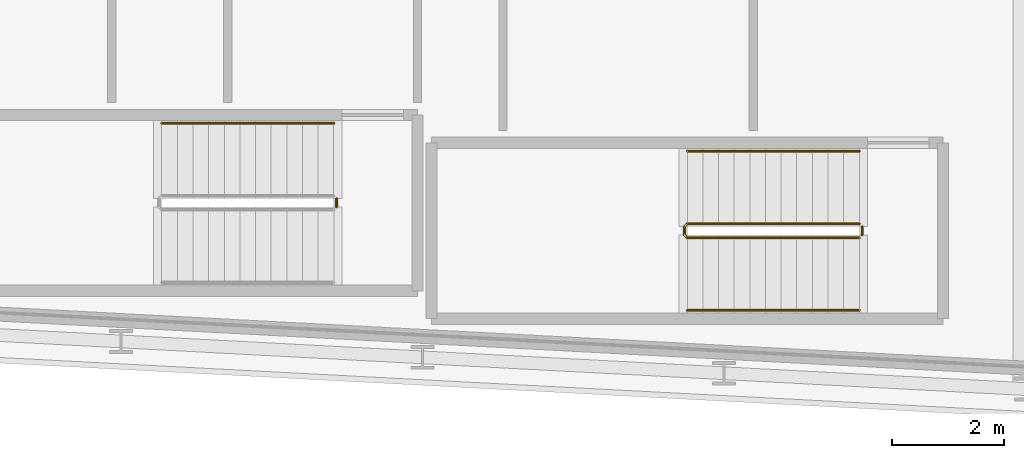
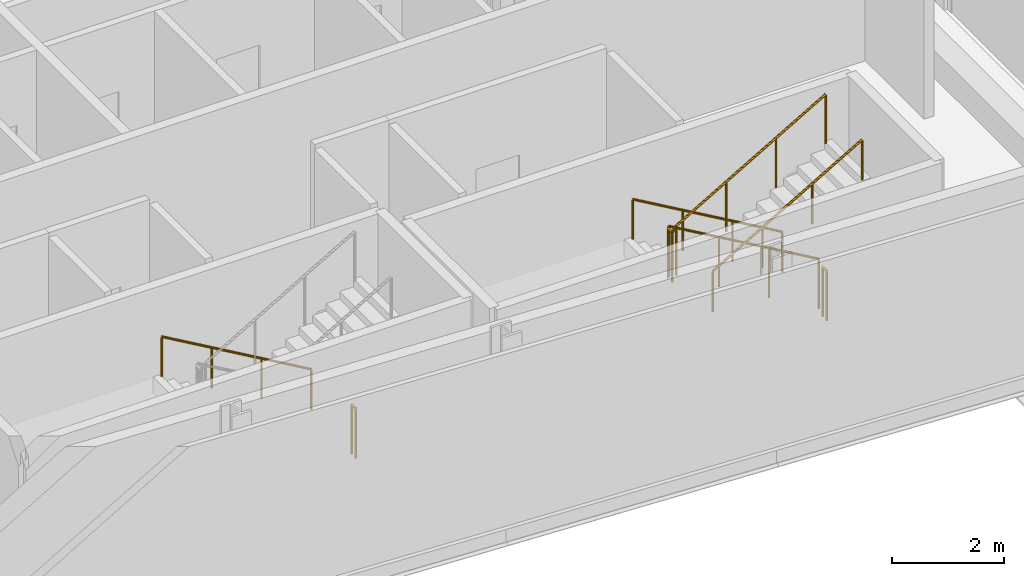
# One storey, part 27 of 30: 6 railings.
"""IFC4 building model written with IfcOpenShell, lengths in metres."""

from ifc_helpers import new_model, si_unit, direction, frame, origin, origin_2d, place, context, subcontext, project, spatial, circle, extrude, material, type_object, element, save


model = new_model("IFC4")

# Units and contexts
model_context = context("Model", 3, precision=1e-05, world=origin(), true_north=direction((0.0, 1.0)))
body_context = subcontext(model_context, "Body", "Model", "MODEL_VIEW")
ifc_project = project(units=[si_unit("LENGTHUNIT", "METRE"), si_unit("AREAUNIT", "SQUARE_METRE"), si_unit("VOLUMEUNIT", "CUBIC_METRE"), si_unit("PLANEANGLEUNIT", "RADIAN"), si_unit("MASSUNIT", "GRAM", prefix="KILO")], contexts=[model_context])

# Site, building, storey
site_placement = place(None, origin())
site = spatial("IfcSite", under=ifc_project, at=site_placement, CompositionType="ELEMENT")
building_placement = place(site_placement, origin())
building = spatial("IfcBuilding", under=site, at=building_placement, Name="Kheshtan School and Residences Tower", CompositionType="ELEMENT")
storey_placement = place(building_placement, frame((0.0, 0.0, 164.300048828125)))
storey = spatial("IfcBuildingStorey", under=building, at=storey_placement, Name="L38", CompositionType="ELEMENT", Elevation=164.300048828125)

# Railings
ifc_material_1 = material(Name="Stainless steel balustrade", Category="steel")
railing_type_1 = type_object("IfcRailingType", Name="Stair guard 1100", PredefinedType="GUARDRAIL", material=ifc_material_1)
railing_1_placement = place(storey_placement, frame((87.820068359375, 23.949951171875, 0.162353515625)))
element("IfcRailing", 1, at=railing_1_placement, inside=storey, type_object=railing_type_1, Name="L38 ST4 stair guard 1", PredefinedType="GUARDRAIL", context=body_context, shape_type="SweptSolid", body=[
    extrude(circle(Radius=0.02392578125, at=origin_2d()), frame((0.0, 0.0, 1.076171875), z_axis=(-0.864890721111, 0.0, 0.501960198159), x_axis=(0.0, -1.0, 0.0)), (0.0, 0.0, 1.0), 3.561279296875),
    extrude(circle(Radius=0.02392578125, at=origin_2d()), frame((-3.080078125, 0.0, 2.86376953125), z_axis=(-0.707106781187, -0.707106781187, 0.0), x_axis=(0.707106781187, -0.707106781187, 0.0)), (0.0, 0.0, 1.0), 0.07080078125),
    extrude(circle(Radius=0.02392578125, at=origin_2d()), frame((-3.130126953125, -0.050048828125, 2.86376953125), z_axis=(0.0, -1.0, 0.0), x_axis=(1.0, 0.0, 0.0)), (0.0, 0.0, 1.0), 0.14990234375),
    extrude(circle(Radius=0.02392578125, at=origin_2d()), frame((-3.130126953125, -0.199951171875, 2.86376953125), z_axis=(0.282227285176, -0.282227285176, 0.916894497205), x_axis=(0.707106781187, 0.707106781187, 0.0)), (0.0, 0.0, 1.0), 0.17724609375),
    extrude(circle(Radius=0.02392578125, at=origin_2d()), frame((-3.080078125, -0.25, 3.0263671875), z_axis=(0.864920483161, 0.0, 0.501908913857), x_axis=(0.0, 1.0, 0.0)), (0.0, 0.0, 1.0), 3.56103515625),
    extrude(circle(Radius=0.02099609375, at=origin_2d()), origin(), (0.0, 0.0, 1.0), 1.052001953125),
    extrude(circle(Radius=0.02099609375, at=origin_2d()), frame((-1.026611328125, 0.0, 0.595947265625)), (0.0, 0.0, 1.0), 1.052001953125),
    extrude(circle(Radius=0.02099609375, at=origin_2d()), frame((-2.053466796875, 0.0, 1.191650390625)), (0.0, 0.0, 1.0), 1.052001953125),
    extrude(circle(Radius=0.02099609375, at=origin_2d()), frame((-3.080078125, 0.0, 1.78759765625)), (0.0, 0.0, 1.0), 1.052001953125),
    extrude(circle(Radius=0.02099609375, at=origin_2d()), frame((-3.130126953125, -0.050048828125, 1.78759765625)), (0.0, 0.0, 1.0), 1.052001953125),
    extrude(circle(Radius=0.02099609375, at=origin_2d()), frame((-3.130126953125, -0.199951171875, 1.78759765625)), (0.0, 0.0, 1.0), 1.052001953125),
    extrude(circle(Radius=0.02099609375, at=origin_2d()), frame((-3.080078125, -0.25, 1.9501953125)), (0.0, 0.0, 1.0), 1.052001953125),
    extrude(circle(Radius=0.02099609375, at=origin_2d()), frame((-2.053466796875, -0.25, 2.5458984375)), (0.0, 0.0, 1.0), 1.052001953125),
    extrude(circle(Radius=0.02099609375, at=origin_2d()), frame((-1.026611328125, -0.25, 3.141845703125)), (0.0, 0.0, 1.0), 1.052001953125),
    extrude(circle(Radius=0.02099609375, at=origin_2d()), frame((0.0, -0.25, 3.737548828125)), (0.0, 0.0, 1.0), 1.052001953125),
])
for number, where, name in (
    (2, (87.8701171875, 23.89990234375, 0.0), "L38 ST4 stair guard 2"),
    (3, (78.4599609375, 24.39990234375, 0.0), "L38 ST5 stair guard 2"),
):
    element("IfcRailing", number, at=place(storey_placement, frame(where)), inside=storey, type_object=railing_type_1, Name=name, PredefinedType="GUARDRAIL", context=body_context, shape_type="SweptSolid", body=[
        extrude(circle(Radius=0.02392578125, at=origin_2d()), frame((0.0, 0.0, 1.076171875), z_axis=(0.0, -1.0, 0.0), x_axis=(1.0, 0.0, 0.0)), (0.0, 0.0, 1.0), 0.14990234375),
        extrude(circle(Radius=0.02099609375, at=origin_2d()), origin(), (0.0, 0.0, 1.0), 1.052001953125),
        extrude(circle(Radius=0.02099609375, at=origin_2d()), frame((0.0, -0.14990234375, 0.0)), (0.0, 0.0, 1.0), 1.052001953125),
    ])
ifc_material_2 = material(Name="Stainless steel handrail", Category="steel")
railing_type_2 = type_object("IfcRailingType", Name="Stair handrail 900", PredefinedType="HANDRAIL", material=ifc_material_2)
railing_2_placement = place(storey_placement, frame((87.820068359375, 25.25, 0.162353515625)))
element("IfcRailing", 4, at=railing_2_placement, inside=storey, type_object=railing_type_2, Name="L38 ST4 stair handrail 1", PredefinedType="HANDRAIL", context=body_context, shape_type="SweptSolid", body=[
    extrude(circle(Radius=0.02392578125, at=origin_2d()), frame((0.0, 0.0, 0.8759765625), z_axis=(-0.864890721111, 0.0, 0.501960198159), x_axis=(0.0, -1.0, 0.0)), (0.0, 0.0, 1.0), 3.561279296875),
    extrude(circle(Radius=0.02099609375, at=origin_2d()), origin(), (0.0, 0.0, 1.0), 0.851806640625),
    extrude(circle(Radius=0.02099609375, at=origin_2d()), frame((-1.026611328125, 0.0, 0.595947265625)), (0.0, 0.0, 1.0), 0.851806640625),
    extrude(circle(Radius=0.02099609375, at=origin_2d()), frame((-2.053466796875, 0.0, 1.191650390625)), (0.0, 0.0, 1.0), 0.851806640625),
    extrude(circle(Radius=0.02099609375, at=origin_2d()), frame((-3.080078125, 0.0, 1.78759765625)), (0.0, 0.0, 1.0), 0.851806640625),
])
railing_3_placement = place(storey_placement, frame((84.739990234375, 22.39990234375, 2.112548828125)))
element("IfcRailing", 5, at=railing_3_placement, inside=storey, type_object=railing_type_2, Name="L38 ST4 stair handrail 2", PredefinedType="HANDRAIL", context=body_context, shape_type="SweptSolid", body=[
    extrude(circle(Radius=0.02392578125, at=origin_2d()), frame((0.0, 0.0, 0.8759765625), z_axis=(0.864920483161, 0.0, 0.501908913857), x_axis=(0.0, 1.0, 0.0)), (0.0, 0.0, 1.0), 3.56103515625),
    extrude(circle(Radius=0.02099609375, at=origin_2d()), origin(), (0.0, 0.0, 1.0), 0.851806640625),
    extrude(circle(Radius=0.02099609375, at=origin_2d()), frame((1.026611328125, 0.0, 0.595703125)), (0.0, 0.0, 1.0), 0.851806640625),
    extrude(circle(Radius=0.02099609375, at=origin_2d()), frame((2.053466796875, 0.0, 1.191650390625)), (0.0, 0.0, 1.0), 0.851806640625),
    extrude(circle(Radius=0.02099609375, at=origin_2d()), frame((3.080078125, 0.0, 1.787353515625)), (0.0, 0.0, 1.0), 0.851806640625),
])
railing_4_placement = place(storey_placement, frame((78.409912109375, 25.75, 0.162353515625)))
element("IfcRailing", 6, at=railing_4_placement, inside=storey, type_object=railing_type_2, Name="L38 ST5 stair handrail 1", PredefinedType="HANDRAIL", context=body_context, shape_type="SweptSolid", body=[
    extrude(circle(Radius=0.02392578125, at=origin_2d()), frame((0.0, 0.0, 0.8759765625), z_axis=(-0.864873446163, 0.0, 0.501989962173), x_axis=(0.0, -1.0, 0.0)), (0.0, 0.0, 1.0), 3.56103515625),
    extrude(circle(Radius=0.02099609375, at=origin_2d()), origin(), (0.0, 0.0, 1.0), 0.851806640625),
    extrude(circle(Radius=0.02099609375, at=origin_2d()), frame((-1.026611328125, 0.0, 0.595947265625)), (0.0, 0.0, 1.0), 0.851806640625),
    extrude(circle(Radius=0.02099609375, at=origin_2d()), frame((-2.05322265625, 0.0, 1.191650390625)), (0.0, 0.0, 1.0), 0.851806640625),
    extrude(circle(Radius=0.02099609375, at=origin_2d()), frame((-3.079833984375, 0.0, 1.78759765625)), (0.0, 0.0, 1.0), 0.851806640625),
])

save(model, "model.ifc")
